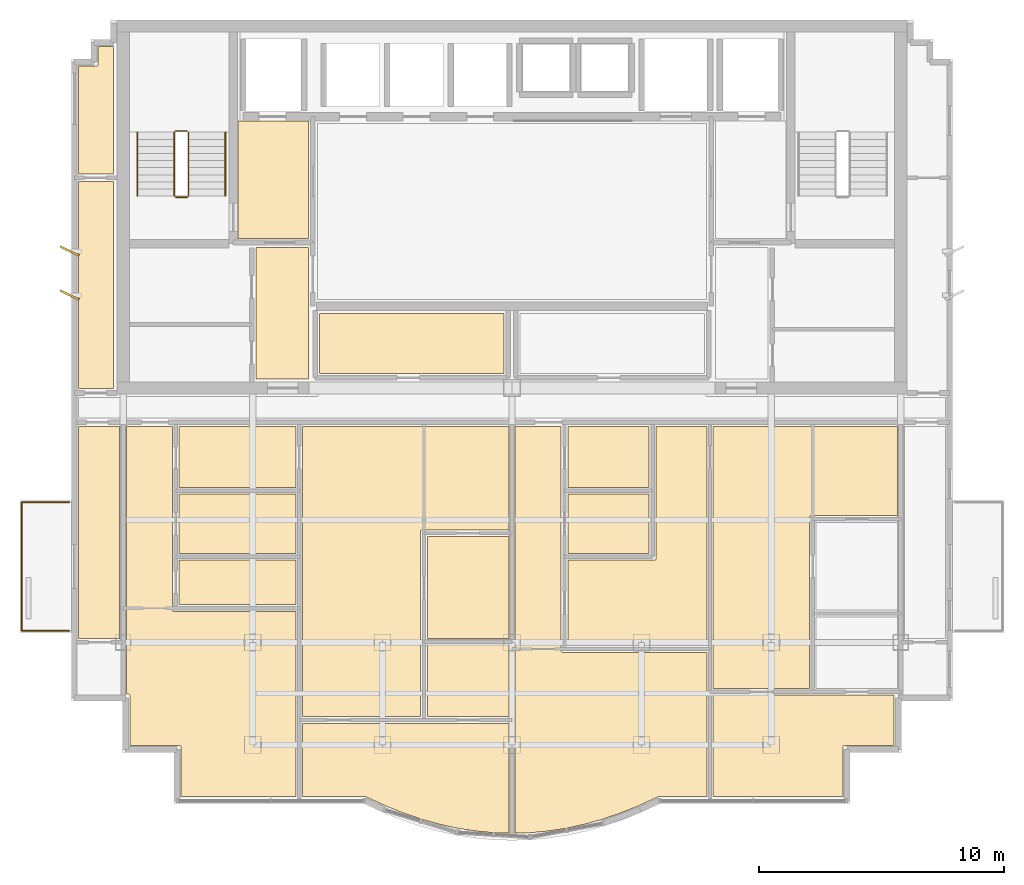
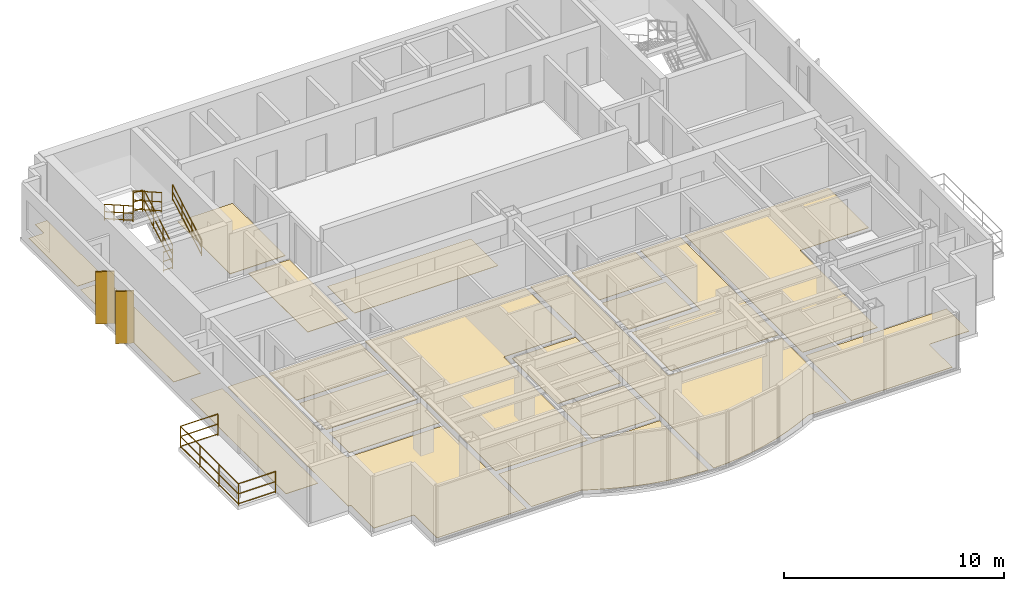
# One storey, part 8 of 9: 20 coverings, 7 railings, 2 shading devices.
"""IFC4 building model written with IfcOpenShell, lengths in metres."""

from ifc_helpers import new_model, si_unit, direction, frame, origin, origin_2d, place, context, subcontext, project, spatial, polyline, rectangle, circle, outline, extrude, source, transform, mapped, material, layer, layer_set, type_object, element, save


model = new_model("IFC4")

# Units and contexts
model_context = context("Model", 3, precision=1e-05, world=origin(), true_north=direction((0.0, 1.0)))
body_context = subcontext(model_context, "Body", "Model", "MODEL_VIEW")
ifc_project = project(units=[si_unit("LENGTHUNIT", "METRE"), si_unit("AREAUNIT", "SQUARE_METRE"), si_unit("VOLUMEUNIT", "CUBIC_METRE"), si_unit("PLANEANGLEUNIT", "RADIAN"), si_unit("MASSUNIT", "GRAM", prefix="KILO")], contexts=[model_context])

# Site, building, storey
site_placement = place(None, origin())
site = spatial("IfcSite", under=ifc_project, at=site_placement, CompositionType="ELEMENT")
building_placement = place(site_placement, origin())
building = spatial("IfcBuilding", under=site, at=building_placement, Name="Qianlan Lanfeng Residences", CompositionType="ELEMENT")
storey_placement = place(building_placement, frame((0.0, 0.0, 252.800048828125)))
storey = spatial("IfcBuildingStorey", under=building, at=storey_placement, Name="L70", CompositionType="ELEMENT", Elevation=252.800048828125)

# Coverings
ifc_material_1 = material(Name="Honed Taitung Granite Stone Flooring", Category="masonry")
ifc_layer_1 = layer(ifc_material_1, 0.030029296875)
ifc_layer_set_1 = layer_set([ifc_layer_1], Name="Honed Taitung Granite Stone Flooring")
covering_type_1 = type_object("IfcCoveringType", Name="FLR-STN-30", PredefinedType="FLOORING", material=ifc_layer_set_1)
covering_1_placement = place(storey_placement, origin())
element("IfcCovering", 1, at=covering_1_placement, inside=storey, type_object=covering_type_1, Name="L70 Firefighting Lift Lobby Floor Finish", PredefinedType="FLOORING", context=body_context, shape_type="SweptSolid", body=[
    extrude(outline(polyline([(15.2900390625, 31.320068359375), (18.179931640625, 31.320068359375), (18.179931640625, 36.110107421875), (15.2900390625, 36.110107421875), (15.2900390625, 31.320068359375)])), origin(), (0.0, 0.0, 1.0), 0.030029296875),
])
covering_2_placement = place(storey_placement, origin())
element("IfcCovering", 2, at=covering_2_placement, inside=storey, type_object=covering_type_1, Name="L70 Lift Lobby Floor Finish", PredefinedType="FLOORING", context=body_context, shape_type="SweptSolid", body=[
    extrude(outline(polyline([(16.030029296875, 25.56005859375), (18.169921875, 25.56005859375), (18.169921875, 30.949951171875), (16.030029296875, 30.949951171875), (16.030029296875, 25.56005859375)])), origin(), (0.0, 0.0, 1.0), 0.030029296875),
])
ifc_material_2 = material(Name="Slip-Resistant Porcelain Tile Flooring")
ifc_layer_2 = layer(ifc_material_2, 0.02001953125)
ifc_layer_set_2 = layer_set([ifc_layer_2], Name="Slip-Resistant Porcelain Tile Flooring")
covering_type_2 = type_object("IfcCoveringType", Name="FLR-TIL-20", PredefinedType="FLOORING", material=ifc_layer_set_2)
covering_3_placement = place(storey_placement, origin())
element("IfcCovering", 3, at=covering_3_placement, inside=storey, type_object=covering_type_2, Name="L70 Kitchen Floor Finish", PredefinedType="FLOORING", context=body_context, shape_type="SweptSolid", body=[
    extrude(outline(polyline([(12.889892578125, 18.43994140625), (17.659912109375, 18.43994140625), (17.659912109375, 20.860107421875), (12.889892578125, 20.860107421875), (12.889892578125, 18.43994140625)])), origin(), (0.0, 0.0, 1.0), 0.02001953125),
])
covering_4_placement = place(storey_placement, origin())
element("IfcCovering", 4, at=covering_4_placement, inside=storey, type_object=covering_type_2, Name="L70 Bathroom Floor Finish", PredefinedType="FLOORING", context=body_context, shape_type="SweptSolid", body=[
    extrude(outline(polyline([(12.889892578125, 21.139892578125), (17.659912109375, 21.139892578125), (17.659912109375, 23.6298828125), (12.889892578125, 23.6298828125), (12.889892578125, 21.139892578125)])), origin(), (0.0, 0.0, 1.0), 0.02001953125),
])
covering_5_placement = place(storey_placement, origin())
element("IfcCovering", 5, at=covering_5_placement, inside=storey, type_object=covering_type_2, Name="L70 En-Suite Bathroom Floor Finish", PredefinedType="FLOORING", context=body_context, shape_type="SweptSolid", body=[
    extrude(outline(polyline([(23.0400390625, 11.762939453125), (26.3701171875, 11.762939453125), (26.3701171875, 14.68310546875), (23.0400390625, 14.68310546875), (23.0400390625, 11.762939453125)])), origin(), (0.0, 0.0, 1.0), 0.02001953125),
])
covering_6_placement = place(storey_placement, origin())
element("IfcCovering", 6, at=covering_6_placement, inside=storey, type_object=covering_type_2, Name="L70 Kitchen Floor Finish", PredefinedType="FLOORING", context=body_context, shape_type="SweptSolid", body=[
    extrude(outline(polyline([(28.7900390625, 18.43994140625), (32.110107421875, 18.43994140625), (32.110107421875, 20.860107421875), (28.7900390625, 20.860107421875), (28.7900390625, 18.43994140625)])), origin(), (0.0, 0.0, 1.0), 0.02001953125),
])
covering_7_placement = place(storey_placement, origin())
element("IfcCovering", 7, at=covering_7_placement, inside=storey, type_object=covering_type_2, Name="L70 Bathroom Floor Finish", PredefinedType="FLOORING", context=body_context, shape_type="SweptSolid", body=[
    extrude(outline(polyline([(28.7900390625, 21.139892578125), (32.110107421875, 21.139892578125), (32.110107421875, 23.6298828125), (28.7900390625, 23.6298828125), (28.7900390625, 21.139892578125)])), origin(), (0.0, 0.0, 1.0), 0.02001953125),
])
ifc_material_3 = material(Name="Engineered Smoked Oak Timber Flooring", Category="wood")
ifc_layer_3 = layer(ifc_material_3, 0.02197265625)
ifc_layer_set_3 = layer_set([ifc_layer_3], Name="Engineered Smoked Oak Timber Flooring")
covering_type_3 = type_object("IfcCoveringType", Name="FLR-TIM-22", PredefinedType="FLOORING", material=ifc_layer_set_3)
covering_8_placement = place(storey_placement, origin())
element("IfcCovering", 8, at=covering_8_placement, inside=storey, type_object=covering_type_3, Name="L70 Resident Study Salon Floor Finish", PredefinedType="FLOORING", context=body_context, shape_type="SweptSolid", body=[
    extrude(outline(polyline([(18.6298828125, 25.800048828125), (26.169921875, 25.800048828125), (26.169921875, 28.2548828125), (18.6298828125, 28.2548828125), (18.6298828125, 25.800048828125)])), origin(), (0.0, 0.0, 1.0), 0.02197265625),
])
covering_9_placement = place(storey_placement, origin())
element("IfcCovering", 9, at=covering_9_placement, inside=storey, type_object=covering_type_3, Name="L70 Living and Dining Room Floor Finish", PredefinedType="FLOORING", context=body_context, shape_type="SweptSolid", body=[
    extrude(outline(polyline([(17.669921875, 8.489990234375), (17.669921875, 16.05810546875), (12.679931640625, 16.05810546875), (12.673095703125, 16.05810546875), (12.666015625, 16.05908203125), (12.659912109375, 16.06103515625), (12.653076171875, 16.06298828125), (12.64697265625, 16.06591796875), (12.64111328125, 16.070068359375), (12.635986328125, 16.073974609375), (12.631103515625, 16.0791015625), (12.6259765625, 16.083984375), (12.6220703125, 16.089111328125), (12.617919921875, 16.094970703125), (12.614990234375, 16.10107421875), (12.613037109375, 16.10791015625), (12.611083984375, 16.114013671875), (12.610107421875, 16.12109375), (12.610107421875, 16.1279296875), (12.610107421875, 23.6298828125), (10.72998046875, 23.6298828125), (10.72998046875, 12.68994140625), (10.800048828125, 12.68994140625), (10.806884765625, 12.68994140625), (10.81396484375, 12.68896484375), (10.820068359375, 12.68701171875), (10.826904296875, 12.68505859375), (10.8330078125, 12.681884765625), (10.839111328125, 12.677978515625), (10.843994140625, 12.674072265625), (10.84912109375, 12.6689453125), (10.85400390625, 12.6640625), (10.85791015625, 12.658935546875), (10.862060546875, 12.653076171875), (10.864990234375, 12.64697265625), (10.866943359375, 12.639892578125), (10.868896484375, 12.634033203125), (10.8701171875, 12.626953125), (10.8701171875, 12.6201171875), (10.8701171875, 10.590087890625), (12.89990234375, 10.590087890625), (12.906982421875, 10.590087890625), (12.9140625, 10.589111328125), (12.919921875, 10.5869140625), (12.927001953125, 10.5849609375), (12.93310546875, 10.58203125), (12.93896484375, 10.577880859375), (12.944091796875, 10.573974609375), (12.948974609375, 10.569091796875), (12.9541015625, 10.56396484375), (12.9580078125, 10.55908203125), (12.9619140625, 10.552978515625), (12.965087890625, 10.547119140625), (12.967041015625, 10.5400390625), (12.968994140625, 10.533935546875), (12.969970703125, 10.527099609375), (12.969970703125, 10.52001953125), (12.969970703125, 8.489990234375), (17.669921875, 8.489990234375)])), origin(), (0.0, 0.0, 1.0), 0.02197265625),
])
covering_10_placement = place(storey_placement, origin())
element("IfcCovering", 10, at=covering_10_placement, inside=storey, type_object=covering_type_3, Name="L70 Private Study Floor Finish", PredefinedType="FLOORING", context=body_context, shape_type="SweptSolid", body=[
    extrude(outline(polyline([(12.889892578125, 18.159912109375), (12.889892578125, 16.337890625), (17.669921875, 16.337890625), (17.669921875, 18.159912109375), (12.889892578125, 18.159912109375)])), origin(), (0.0, 0.0, 1.0), 0.02197265625),
])
covering_11_placement = place(storey_placement, origin())
element("IfcCovering", 11, at=covering_11_placement, inside=storey, type_object=covering_type_3, Name="L70 Private Study Floor Finish", PredefinedType="FLOORING", context=body_context, shape_type="SweptSolid", body=[
    extrude(outline(polyline([(23.0400390625, 14.962890625), (26.3701171875, 14.962890625), (26.3701171875, 19.12109375), (23.0400390625, 19.12109375), (23.0400390625, 14.962890625)])), origin(), (0.0, 0.0, 1.0), 0.02197265625),
])
covering_12_placement = place(storey_placement, origin())
element("IfcCovering", 12, at=covering_12_placement, inside=storey, type_object=covering_type_3, Name="L70 Villa Family Sitting Room Floor Finish", PredefinedType="FLOORING", context=body_context, shape_type="SweptSolid", body=[
    extrude(outline(polyline([(17.929931640625, 11.762939453125), (22.760009765625, 11.762939453125), (22.760009765625, 19.3310546875), (22.760009765625, 19.337890625), (22.760986328125, 19.344970703125), (22.762939453125, 19.35107421875), (22.764892578125, 19.35791015625), (22.76806640625, 19.364013671875), (22.77197265625, 19.3701171875), (22.77587890625, 19.375), (22.781005859375, 19.3798828125), (22.785888671875, 19.385009765625), (22.791015625, 19.388916015625), (22.797119140625, 19.39306640625), (22.802978515625, 19.39599609375), (22.81005859375, 19.39794921875), (22.81591796875, 19.39990234375), (22.822998046875, 19.40087890625), (22.830078125, 19.40087890625), (26.3701171875, 19.40087890625), (26.3701171875, 23.6298828125), (17.929931640625, 23.6298828125), (17.929931640625, 11.762939453125)])), origin(), (0.0, 0.0, 1.0), 0.02197265625),
])
covering_13_placement = place(storey_placement, origin())
element("IfcCovering", 13, at=covering_13_placement, inside=storey, type_object=covering_type_3, Name="L70 Master Bedroom Floor Finish", PredefinedType="FLOORING", context=body_context, shape_type="SweptSolid", body=[
    extrude(outline(polyline([(17.929931640625, 11.48291015625), (17.929931640625, 8.489990234375), (20.509033203125, 8.489990234375), (20.51611328125, 8.489990234375), (20.52392578125, 8.488037109375), (20.531005859375, 8.486083984375), (20.5380859375, 8.48291015625), (21.3310546875, 8.114013671875), (22.071044921875, 7.81591796875), (22.81103515625, 7.56298828125), (23.550048828125, 7.35693359375), (24.2880859375, 7.196044921875), (25.02587890625, 7.08203125), (25.762939453125, 7.012939453125), (26.3701171875, 6.993896484375), (26.3701171875, 11.48291015625), (17.929931640625, 11.48291015625)])), origin(), (0.0, 0.0, 1.0), 0.02197265625),
])
covering_14_placement = place(storey_placement, origin())
element("IfcCovering", 14, at=covering_14_placement, inside=storey, type_object=covering_type_3, Name="L70 Living and Dining Room Floor Finish", PredefinedType="FLOORING", context=body_context, shape_type="SweptSolid", body=[
    extrude(outline(polyline([(34.469970703125, 8.489990234375), (34.469970703125, 14.385986328125), (28.580078125, 14.385986328125), (28.572998046875, 14.385986328125), (28.56591796875, 14.386962890625), (28.56005859375, 14.388916015625), (28.552978515625, 14.39111328125), (28.547119140625, 14.39404296875), (28.541015625, 14.39794921875), (28.535888671875, 14.402099609375), (28.531005859375, 14.406982421875), (28.52587890625, 14.412109375), (28.52197265625, 14.4169921875), (28.51806640625, 14.423095703125), (28.514892578125, 14.428955078125), (28.512939453125, 14.43603515625), (28.510986328125, 14.44189453125), (28.510009765625, 14.448974609375), (28.510009765625, 14.4560546875), (28.510009765625, 23.6298828125), (26.6298828125, 23.6298828125), (26.6298828125, 6.993896484375), (27.237060546875, 7.012939453125), (27.97412109375, 7.08203125), (28.7119140625, 7.196044921875), (29.449951171875, 7.35693359375), (30.18896484375, 7.56298828125), (30.928955078125, 7.81591796875), (31.6689453125, 8.114013671875), (32.4619140625, 8.48291015625), (32.468994140625, 8.486083984375), (32.47607421875, 8.488037109375), (32.48388671875, 8.489990234375), (32.490966796875, 8.489990234375), (34.469970703125, 8.489990234375)])), origin(), (0.0, 0.0, 1.0), 0.02197265625),
])
covering_15_placement = place(storey_placement, origin())
element("IfcCovering", 15, at=covering_15_placement, inside=storey, type_object=covering_type_3, Name="L70 Villa Family Sitting Room Floor Finish", PredefinedType="FLOORING", context=body_context, shape_type="SweptSolid", body=[
    extrude(outline(polyline([(28.7900390625, 14.666015625), (34.469970703125, 14.666015625), (34.469970703125, 23.6298828125), (32.389892578125, 23.6298828125), (32.389892578125, 18.22998046875), (32.389892578125, 18.222900390625), (32.388916015625, 18.216064453125), (32.386962890625, 18.2099609375), (32.385009765625, 18.202880859375), (32.382080078125, 18.197021484375), (32.3779296875, 18.19091796875), (32.3740234375, 18.18603515625), (32.368896484375, 18.180908203125), (32.364013671875, 18.176025390625), (32.35888671875, 18.172119140625), (32.35302734375, 18.16796875), (32.346923828125, 18.1650390625), (32.340087890625, 18.1630859375), (32.333984375, 18.160888671875), (32.326904296875, 18.159912109375), (32.320068359375, 18.159912109375), (28.7900390625, 18.159912109375), (28.7900390625, 14.666015625)])), origin(), (0.0, 0.0, 1.0), 0.02197265625),
])
covering_16_placement = place(storey_placement, origin())
element("IfcCovering", 16, at=covering_16_placement, inside=storey, type_object=covering_type_3, Name="L70 Villa Family Sitting Room Floor Finish", PredefinedType="FLOORING", context=body_context, shape_type="SweptSolid", body=[
    extrude(outline(polyline([(34.72998046875, 12.9189453125), (38.659912109375, 12.9189453125), (38.659912109375, 19.909912109375), (38.659912109375, 19.9169921875), (38.660888671875, 19.924072265625), (38.6630859375, 19.929931640625), (38.6650390625, 19.93701171875), (38.66796875, 19.943115234375), (38.672119140625, 19.948974609375), (38.676025390625, 19.9541015625), (38.680908203125, 19.958984375), (38.68603515625, 19.964111328125), (38.69091796875, 19.968017578125), (38.697021484375, 19.971923828125), (38.702880859375, 19.97509765625), (38.7099609375, 19.97705078125), (38.716064453125, 19.97900390625), (38.722900390625, 19.97998046875), (38.72998046875, 19.97998046875), (42.27001953125, 19.97998046875), (42.27001953125, 23.6298828125), (34.72998046875, 23.6298828125), (34.72998046875, 12.9189453125)])), origin(), (0.0, 0.0, 1.0), 0.02197265625),
])
covering_17_placement = place(storey_placement, origin())
element("IfcCovering", 17, at=covering_17_placement, inside=storey, type_object=covering_type_3, Name="L70 Master Bedroom Floor Finish", PredefinedType="FLOORING", context=body_context, shape_type="SweptSolid", body=[
    extrude(outline(polyline([(34.72998046875, 12.638916015625), (34.72998046875, 8.489990234375), (40.030029296875, 8.489990234375), (40.030029296875, 10.52001953125), (40.030029296875, 10.527099609375), (40.031005859375, 10.533935546875), (40.032958984375, 10.5400390625), (40.034912109375, 10.547119140625), (40.0380859375, 10.552978515625), (40.0419921875, 10.55908203125), (40.0458984375, 10.56396484375), (40.051025390625, 10.569091796875), (40.055908203125, 10.573974609375), (40.06103515625, 10.577880859375), (40.06689453125, 10.58203125), (40.072998046875, 10.5849609375), (40.080078125, 10.5869140625), (40.0859375, 10.589111328125), (40.093017578125, 10.590087890625), (40.10009765625, 10.590087890625), (42.1298828125, 10.590087890625), (42.1298828125, 12.6201171875), (42.1298828125, 12.626953125), (42.131103515625, 12.634033203125), (42.133056640625, 12.638916015625), (34.72998046875, 12.638916015625)])), origin(), (0.0, 0.0, 1.0), 0.02197265625),
])
covering_18_placement = place(storey_placement, origin())
element("IfcCovering", 18, at=covering_18_placement, inside=storey, type_object=covering_type_3, Name="L70 Family Sitting Room Floor Finish", PredefinedType="FLOORING", context=body_context, shape_type="SweptSolid", body=[
    extrude(outline(polyline([(10.43994140625, 23.6298828125), (8.77001953125, 23.6298828125), (8.77001953125, 14.949951171875), (10.43994140625, 14.949951171875), (10.43994140625, 23.6298828125)])), origin(), (0.0, 0.0, 1.0), 0.02197265625),
])
covering_19_placement = place(storey_placement, origin())
element("IfcCovering", 19, at=covering_19_placement, inside=storey, type_object=covering_type_3, Name="L70 Gallery Salon Floor Finish", PredefinedType="FLOORING", context=body_context, shape_type="SweptSolid", body=[
    extrude(outline(polyline([(10.199951171875, 33.64990234375), (8.77001953125, 33.64990234375), (8.77001953125, 25.179931640625), (10.199951171875, 25.179931640625), (10.199951171875, 33.64990234375)])), origin(), (0.0, 0.0, 1.0), 0.02197265625),
])
covering_20_placement = place(storey_placement, origin())
element("IfcCovering", 20, at=covering_20_placement, inside=storey, type_object=covering_type_3, Name="L70 Resident Lounge Floor Finish", PredefinedType="FLOORING", context=body_context, shape_type="SweptSolid", body=[
    extrude(outline(polyline([(8.77001953125, 33.949951171875), (10.199951171875, 33.949951171875), (10.199951171875, 39.159912109375), (9.570068359375, 39.159912109375), (9.570068359375, 38.429931640625), (9.570068359375, 38.423095703125), (9.569091796875, 38.416015625), (9.56689453125, 38.409912109375), (9.56494140625, 38.403076171875), (9.56201171875, 38.39697265625), (9.55810546875, 38.39111328125), (9.553955078125, 38.385986328125), (9.549072265625, 38.381103515625), (9.5439453125, 38.3759765625), (9.5390625, 38.3720703125), (9.532958984375, 38.367919921875), (9.527099609375, 38.364990234375), (9.52001953125, 38.363037109375), (9.513916015625, 38.361083984375), (9.507080078125, 38.360107421875), (9.5, 38.360107421875), (8.77001953125, 38.360107421875), (8.77001953125, 33.949951171875)])), origin(), (0.0, 0.0, 1.0), 0.02197265625),
])

# Railings
ifc_material_4 = material(Name="Anodised Bronze Aluminium and Laminated Glass Guard Balustrade", Category="aluminium")
railing_type_1 = type_object("IfcRailingType", Name="GR-EXT-1220", PredefinedType="BALUSTRADE", material=ifc_material_4)
railing_1_placement = place(storey_placement, frame((8.409912109375, 15.27001953125, 0.0)))
element("IfcRailing", 21, at=railing_1_placement, inside=storey, type_object=railing_type_1, Name="L70 Terrace Safety Guard GR-L70-WB-S", PredefinedType="BALUSTRADE", context=body_context, shape_type="SweptSolid", body=[
    extrude(circle(Radius=0.02490234375, at=origin_2d()), frame((0.0, 0.0, 0.0849609375), z_axis=(-1.0, 0.0, 0.0), x_axis=(0.0, -1.0, 0.0)), (0.0, 0.0, 1.0), 1.9599609375),
    extrude(circle(Radius=0.02490234375, at=origin_2d()), frame((0.0, 0.0, 0.63427734375), z_axis=(-1.0, 0.0, 0.0), x_axis=(0.0, -1.0, 0.0)), (0.0, 0.0, 1.0), 1.9599609375),
    extrude(circle(Radius=0.02490234375, at=origin_2d()), frame((0.0, 0.0, 1.19482421875), z_axis=(-1.0, 0.0, 0.0), x_axis=(0.0, -1.0, 0.0)), (0.0, 0.0, 1.0), 1.9599609375),
    extrude(circle(Radius=0.02490234375, at=origin_2d()), frame((-1.9599609375, 0.0, 0.0849609375), z_axis=(0.0, 1.0, 0.0), x_axis=(-1.0, 0.0, 0.0)), (0.0, 0.0, 1.0), 5.260009765625),
    extrude(circle(Radius=0.02490234375, at=origin_2d()), frame((-1.9599609375, 0.0, 0.63427734375), z_axis=(0.0, 1.0, 0.0), x_axis=(-1.0, 0.0, 0.0)), (0.0, 0.0, 1.0), 5.260009765625),
    extrude(circle(Radius=0.02490234375, at=origin_2d()), frame((-1.9599609375, 0.0, 1.19482421875), z_axis=(0.0, 1.0, 0.0), x_axis=(-1.0, 0.0, 0.0)), (0.0, 0.0, 1.0), 5.260009765625),
    extrude(circle(Radius=0.02490234375, at=origin_2d()), frame((-1.9599609375, 5.260009765625, 0.0849609375), z_axis=(1.0, 0.0, 0.0), x_axis=(0.0, 1.0, 0.0)), (0.0, 0.0, 1.0), 1.9599609375),
    extrude(circle(Radius=0.02490234375, at=origin_2d()), frame((-1.9599609375, 5.260009765625, 0.63427734375), z_axis=(1.0, 0.0, 0.0), x_axis=(0.0, 1.0, 0.0)), (0.0, 0.0, 1.0), 1.9599609375),
    extrude(circle(Radius=0.02490234375, at=origin_2d()), frame((-1.9599609375, 5.260009765625, 1.19482421875), z_axis=(1.0, 0.0, 0.0), x_axis=(0.0, 1.0, 0.0)), (0.0, 0.0, 1.0), 1.9599609375),
    extrude(circle(Radius=0.02099609375, at=origin_2d()), origin(), (0.0, 0.0, 1.0), 1.169921875),
    extrude(circle(Radius=0.02099609375, at=origin_2d()), frame((-1.9599609375, 0.0, 0.0)), (0.0, 0.0, 1.0), 1.169921875),
    extrude(circle(Radius=0.02099609375, at=origin_2d()), frame((-1.9599609375, 1.75341796875, 0.0)), (0.0, 0.0, 1.0), 1.169921875),
    extrude(circle(Radius=0.02099609375, at=origin_2d()), frame((-1.9599609375, 3.506591796875, 0.0)), (0.0, 0.0, 1.0), 1.169921875),
    extrude(circle(Radius=0.02099609375, at=origin_2d()), frame((-1.9599609375, 5.260009765625, 0.0)), (0.0, 0.0, 1.0), 1.169921875),
    extrude(circle(Radius=0.02099609375, at=origin_2d()), frame((0.0, 5.260009765625, 0.0)), (0.0, 0.0, 1.0), 1.169921875),
])
ifc_material_5 = material(Name="Painted Galvanised Steel Guardrail", Category="steel")
railing_type_2 = type_object("IfcRailingType", Name="GR-ST-1120", PredefinedType="GUARDRAIL", material=ifc_material_5)
railing_2_placement = place(storey_placement, frame((13.27001953125, 33.050048828125, 0.1650390625)))
element("IfcRailing", 22, at=railing_2_placement, inside=storey, type_object=railing_type_2, Name="L70 ST-1 stair guard 1", PredefinedType="GUARDRAIL", context=body_context, shape_type="SweptSolid", body=[
    extrude(circle(Radius=0.02392578125, at=origin_2d()), frame((0.0, 0.0, 0.083984375), z_axis=(0.0, 0.869172267526, 0.494509422927), x_axis=(-1.0, 0.0, 0.0)), (0.0, 0.0, 1.0), 3.002685546875),
    extrude(circle(Radius=0.02392578125, at=origin_2d()), frame((0.0, 0.0, 0.58251953125), z_axis=(0.0, 0.869172267526, 0.494509422927), x_axis=(-1.0, 0.0, 0.0)), (0.0, 0.0, 1.0), 3.002685546875),
    extrude(circle(Radius=0.02392578125, at=origin_2d()), frame((0.0, 0.0, 1.09619140625), z_axis=(0.0, 0.869172267526, 0.494509422927), x_axis=(-1.0, 0.0, 0.0)), (0.0, 0.0, 1.0), 3.002685546875),
    extrude(circle(Radius=0.02099609375, at=origin_2d()), origin(), (0.0, 0.0, 1.0), 1.072021484375),
    extrude(circle(Radius=0.02099609375, at=origin_2d()), frame((0.0, 0.869873046875, 0.494873046875)), (0.0, 0.0, 1.0), 1.072021484375),
    extrude(circle(Radius=0.02099609375, at=origin_2d()), frame((0.0, 1.739990234375, 0.989990234375)), (0.0, 0.0, 1.0), 1.072021484375),
    extrude(circle(Radius=0.02099609375, at=origin_2d()), frame((0.0, 2.60986328125, 1.48486328125)), (0.0, 0.0, 1.0), 1.072021484375),
])
railing_3_placement = place(storey_placement, frame((13.219970703125, 35.7099609375, 1.64990234375)))
element("IfcRailing", 23, at=railing_3_placement, inside=storey, type_object=railing_type_2, Name="L70 ST-1 stair guard 2", PredefinedType="GUARDRAIL", context=body_context, shape_type="SweptSolid", body=[
    extrude(circle(Radius=0.02392578125, at=origin_2d()), frame((0.0, 0.0, 0.083984375), z_axis=(-1.0, 0.0, 0.0), x_axis=(0.0, -1.0, 0.0)), (0.0, 0.0, 1.0), 0.47998046875),
    extrude(circle(Radius=0.02392578125, at=origin_2d()), frame((0.0, 0.0, 0.58251953125), z_axis=(-1.0, 0.0, 0.0), x_axis=(0.0, -1.0, 0.0)), (0.0, 0.0, 1.0), 0.47998046875),
    extrude(circle(Radius=0.02392578125, at=origin_2d()), frame((0.0, 0.0, 1.09619140625), z_axis=(-1.0, 0.0, 0.0), x_axis=(0.0, -1.0, 0.0)), (0.0, 0.0, 1.0), 0.47998046875),
    extrude(circle(Radius=0.02099609375, at=origin_2d()), origin(), (0.0, 0.0, 1.0), 1.072021484375),
    extrude(circle(Radius=0.02099609375, at=origin_2d()), frame((-0.47998046875, 0.0, 0.0)), (0.0, 0.0, 1.0), 1.072021484375),
])
railing_4_placement = place(storey_placement, frame((12.68994140625, 35.659912109375, 1.81494140625)))
element("IfcRailing", 24, at=railing_4_placement, inside=storey, type_object=railing_type_2, Name="L70 ST-1 stair guard 3", PredefinedType="GUARDRAIL", context=body_context, shape_type="SweptSolid", body=[
    extrude(circle(Radius=0.02392578125, at=origin_2d()), frame((0.0, 0.0, 0.083984375), z_axis=(0.0, -0.869137319866, 0.494570843475), x_axis=(1.0, 0.0, 0.0)), (0.0, 0.0, 1.0), 3.0029296875),
    extrude(circle(Radius=0.02392578125, at=origin_2d()), frame((0.0, 0.0, 0.58251953125), z_axis=(0.0, -0.869137319866, 0.494570843475), x_axis=(1.0, 0.0, 0.0)), (0.0, 0.0, 1.0), 3.0029296875),
    extrude(circle(Radius=0.02392578125, at=origin_2d()), frame((0.0, 0.0, 1.09619140625), z_axis=(0.0, -0.869137319866, 0.494570843475), x_axis=(1.0, 0.0, 0.0)), (0.0, 0.0, 1.0), 3.0029296875),
    extrude(circle(Radius=0.02099609375, at=origin_2d()), origin(), (0.0, 0.0, 1.0), 1.072021484375),
    extrude(circle(Radius=0.02099609375, at=origin_2d()), frame((0.0, -0.869873046875, 0.4951171875)), (0.0, 0.0, 1.0), 1.072021484375),
    extrude(circle(Radius=0.02099609375, at=origin_2d()), frame((0.0, -1.739990234375, 0.989990234375)), (0.0, 0.0, 1.0), 1.072021484375),
    extrude(circle(Radius=0.02099609375, at=origin_2d()), frame((0.0, -2.60986328125, 1.485107421875)), (0.0, 0.0, 1.0), 1.072021484375),
])
railing_5_placement = place(storey_placement, frame((13.219970703125, 33.0, 0.0)))
element("IfcRailing", 25, at=railing_5_placement, inside=storey, type_object=railing_type_2, Name="L70 ST-1 stair guard 4", PredefinedType="GUARDRAIL", context=body_context, shape_type="SweptSolid", body=[
    extrude(circle(Radius=0.02392578125, at=origin_2d()), frame((0.0, 0.0, 0.083984375), z_axis=(-1.0, 0.0, 0.0), x_axis=(0.0, -1.0, 0.0)), (0.0, 0.0, 1.0), 0.47998046875),
    extrude(circle(Radius=0.02392578125, at=origin_2d()), frame((0.0, 0.0, 0.58251953125), z_axis=(-1.0, 0.0, 0.0), x_axis=(0.0, -1.0, 0.0)), (0.0, 0.0, 1.0), 0.47998046875),
    extrude(circle(Radius=0.02392578125, at=origin_2d()), frame((0.0, 0.0, 1.09619140625), z_axis=(-1.0, 0.0, 0.0), x_axis=(0.0, -1.0, 0.0)), (0.0, 0.0, 1.0), 0.47998046875),
    extrude(circle(Radius=0.02099609375, at=origin_2d()), origin(), (0.0, 0.0, 1.0), 1.072021484375),
    extrude(circle(Radius=0.02099609375, at=origin_2d()), frame((-0.47998046875, 0.0, 0.0)), (0.0, 0.0, 1.0), 1.072021484375),
])
ifc_material_6 = material(Name="Brushed Stainless Steel Handrail", Category="steel")
railing_type_3 = type_object("IfcRailingType", Name="HR-ST-920", PredefinedType="HANDRAIL", material=ifc_material_6)
railing_6_placement = place(storey_placement, frame((14.77001953125, 33.050048828125, 0.1650390625)))
element("IfcRailing", 26, at=railing_6_placement, inside=storey, type_object=railing_type_3, Name="L70 ST-1 stair handrail 1", PredefinedType="HANDRAIL", context=body_context, shape_type="SweptSolid", body=[
    extrude(circle(Radius=0.02392578125, at=origin_2d()), frame((0.0, 0.0, 0.083984375), z_axis=(0.0, 0.869172267526, 0.494509422927), x_axis=(-1.0, 0.0, 0.0)), (0.0, 0.0, 1.0), 3.002685546875),
    extrude(circle(Radius=0.02392578125, at=origin_2d()), frame((0.0, 0.0, 0.468017578125), z_axis=(0.0, 0.869172267526, 0.494509422927), x_axis=(-1.0, 0.0, 0.0)), (0.0, 0.0, 1.0), 3.002685546875),
    extrude(circle(Radius=0.02392578125, at=origin_2d()), frame((0.0, 0.0, 0.8759765625), z_axis=(0.0, 0.869172267526, 0.494509422927), x_axis=(-1.0, 0.0, 0.0)), (0.0, 0.0, 1.0), 3.002685546875),
    extrude(circle(Radius=0.02099609375, at=origin_2d()), origin(), (0.0, 0.0, 1.0), 0.851806640625),
    extrude(circle(Radius=0.02099609375, at=origin_2d()), frame((0.0, 0.869873046875, 0.494873046875)), (0.0, 0.0, 1.0), 0.851806640625),
    extrude(circle(Radius=0.02099609375, at=origin_2d()), frame((0.0, 1.739990234375, 0.989990234375)), (0.0, 0.0, 1.0), 0.851806640625),
    extrude(circle(Radius=0.02099609375, at=origin_2d()), frame((0.0, 2.60986328125, 1.48486328125)), (0.0, 0.0, 1.0), 0.851806640625),
])
railing_7_placement = place(storey_placement, frame((11.18994140625, 35.659912109375, 1.81494140625)))
element("IfcRailing", 27, at=railing_7_placement, inside=storey, type_object=railing_type_3, Name="L70 ST-1 stair handrail 2", PredefinedType="HANDRAIL", context=body_context, shape_type="SweptSolid", body=[
    extrude(circle(Radius=0.02392578125, at=origin_2d()), frame((0.0, 0.0, 0.083984375), z_axis=(0.0, -0.869137319866, 0.494570843475), x_axis=(1.0, 0.0, 0.0)), (0.0, 0.0, 1.0), 3.0029296875),
    extrude(circle(Radius=0.02392578125, at=origin_2d()), frame((0.0, 0.0, 0.468017578125), z_axis=(0.0, -0.869137319866, 0.494570843475), x_axis=(1.0, 0.0, 0.0)), (0.0, 0.0, 1.0), 3.0029296875),
    extrude(circle(Radius=0.02392578125, at=origin_2d()), frame((0.0, 0.0, 0.8759765625), z_axis=(0.0, -0.869137319866, 0.494570843475), x_axis=(1.0, 0.0, 0.0)), (0.0, 0.0, 1.0), 3.0029296875),
    extrude(circle(Radius=0.02099609375, at=origin_2d()), origin(), (0.0, 0.0, 1.0), 0.851806640625),
    extrude(circle(Radius=0.02099609375, at=origin_2d()), frame((0.0, -0.869873046875, 0.4951171875)), (0.0, 0.0, 1.0), 0.851806640625),
    extrude(circle(Radius=0.02099609375, at=origin_2d()), frame((0.0, -1.739990234375, 0.989990234375)), (0.0, 0.0, 1.0), 0.851806640625),
    extrude(circle(Radius=0.02099609375, at=origin_2d()), frame((0.0, -2.60986328125, 1.485107421875)), (0.0, 0.0, 1.0), 0.851806640625),
])

# Shading devices
ifc_material_7 = material(Name="Anodised Bronze Aluminium Solar Fin", Category="aluminium")
shading_device_type = type_object("IfcShadingDeviceType", Name="FIN-BRZ-850", PredefinedType="SHUTTER", material=ifc_material_7)
shared_shape = source(origin(), body_context, "Body", "SweptSolid", [
    extrude(rectangle(XDim=0.85009765625, YDim=0.080078125, at=origin_2d()), origin(), (0.0, 0.0, 1.0), 2.89990234375),
])
for number, where, z_axis, x_axis, name in (
    (28, (8.409912109375, 29.0, 0.0), (0.0, 0.0, 1.0), (0.898794046299, -0.438371146789, 0.0), "L70 Raked Bronze Solar Fin W1"),
    (29, (8.409912109375, 30.800048828125, 0.0), (0.0, 0.0, 1.0), (0.898794046299, -0.438371146789, 0.0), "L70 Raked Bronze Solar Fin W2"),
):
    element("IfcShadingDevice", number, at=place(storey_placement, frame(where, z_axis=z_axis, x_axis=x_axis)), inside=storey, type_object=shading_device_type, Name=name, PredefinedType="SHUTTER", context=body_context, shape_type="MappedRepresentation", body=[
        mapped(shared_shape, transform((0.0, 0.0, 0.0), scale=1.0)),
    ])

save(model, "model.ifc")
